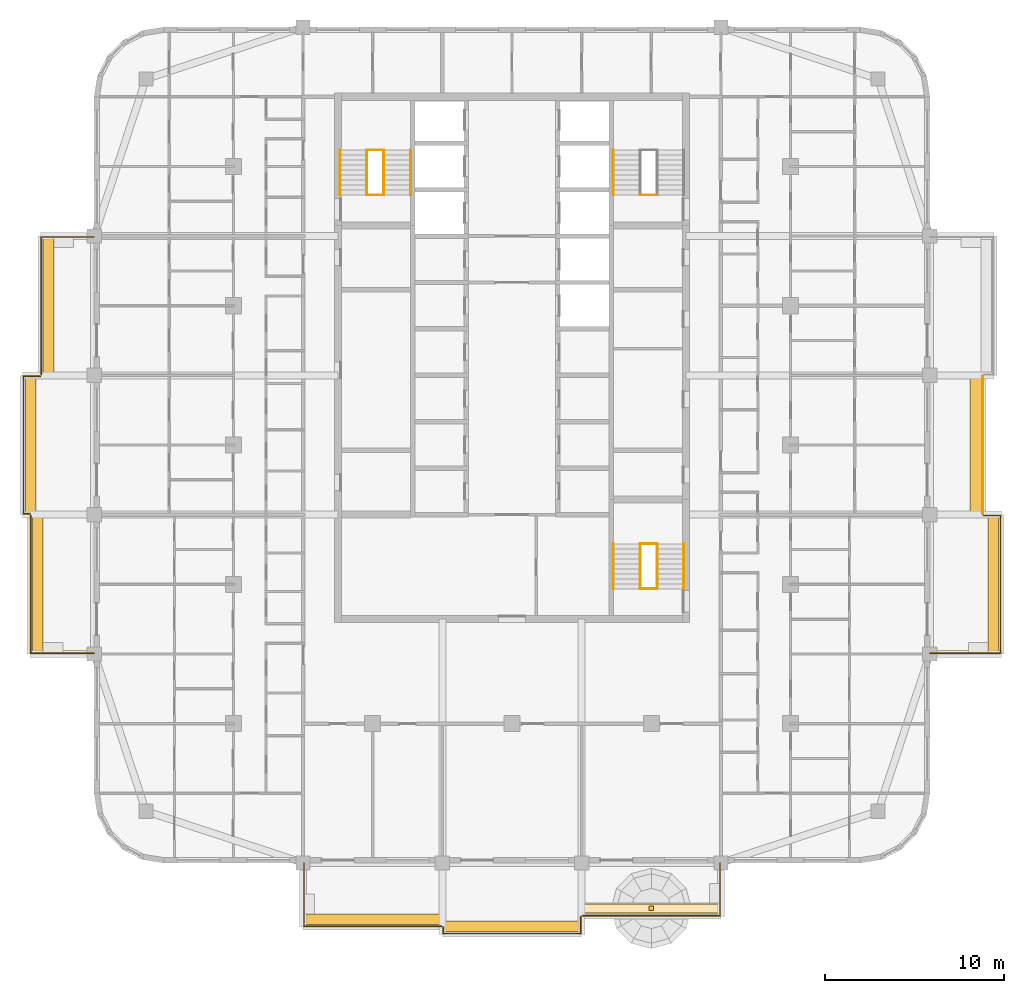
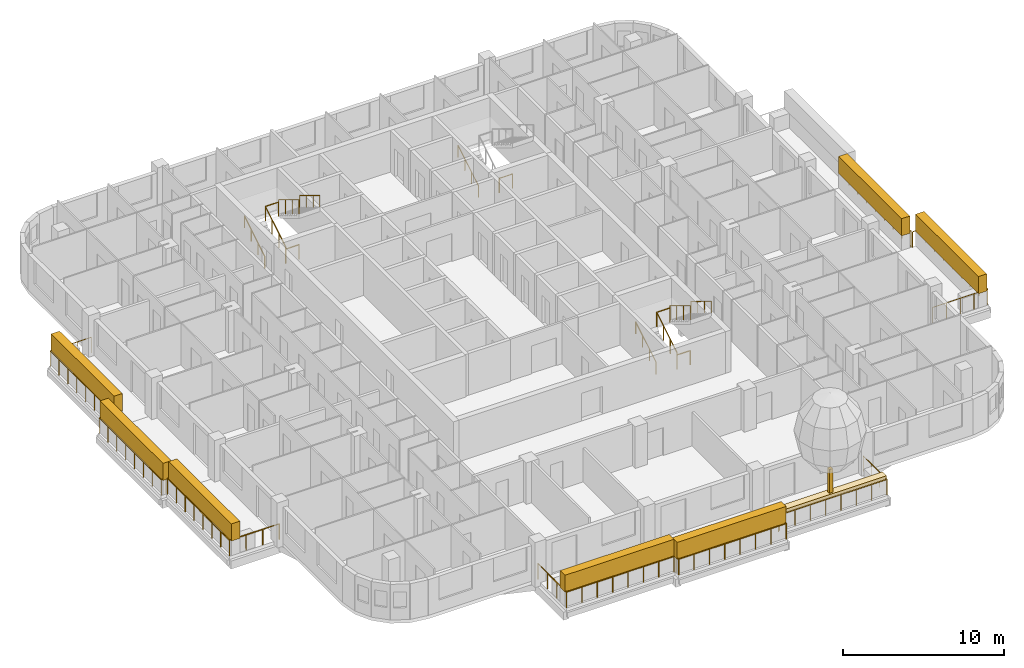
# One storey, part 15 of 17: 22 railings, 9 coverings, 3 elements without a shape of their own.
"""IFC4 building model written with IfcOpenShell, lengths in metres."""

from ifc_helpers import new_model, si_unit, direction, frame, origin, origin_2d, place, context, subcontext, project, spatial, rectangle, circle, extrude, material, layer, layer_set, type_object, element, aggregate, save


model = new_model("IFC4")

# Units and contexts
model_context = context("Model", 3, precision=1e-05, world=origin(), true_north=direction((0.0, 1.0)))
body_context = subcontext(model_context, "Body", "Model", "MODEL_VIEW")
ifc_project = project(units=[si_unit("LENGTHUNIT", "METRE"), si_unit("AREAUNIT", "SQUARE_METRE"), si_unit("VOLUMEUNIT", "CUBIC_METRE"), si_unit("PLANEANGLEUNIT", "RADIAN"), si_unit("MASSUNIT", "GRAM", prefix="KILO")], contexts=[model_context])

# Site, building, storey
site_placement = place(None, origin())
site = spatial("IfcSite", under=ifc_project, at=site_placement, CompositionType="ELEMENT")
building_placement = place(site_placement, origin())
building = spatial("IfcBuilding", under=site, at=building_placement, Name="Ludao Terraces", CompositionType="ELEMENT")
storey_placement = place(building_placement, frame((0.0, 0.0, 210.89990234375)))
storey = spatial("IfcBuildingStorey", under=building, at=storey_placement, Name="L57", CompositionType="ELEMENT", Elevation=210.89990234375)

# Railings
ifc_material_1 = material(Name="Stainless steel 304", Category="steel")
railing_type_1 = type_object("IfcRailingType", Name="ENV Balcony glass guard 1200", PredefinedType="GUARDRAIL", material=ifc_material_1)
railing_1_placement = place(storey_placement, frame((73.35009765625, 41.60009765625, 0.0)))
element("IfcRailing", 1, at=railing_1_placement, inside=storey, type_object=railing_type_1, Name="Balcony guard L57 S1", PredefinedType="GUARDRAIL", context=body_context, shape_type="SweptSolid", body=[
    extrude(circle(Radius=0.02392578125, at=origin_2d()), frame((0.0, 0.0, 1.17578125), z_axis=(0.0, -1.0, 0.0), x_axis=(1.0, 0.0, 0.0)), (0.0, 0.0, 1.0), 3.550048828125),
    extrude(circle(Radius=0.02392578125, at=origin_2d()), frame((0.0, -3.550048828125, 1.17578125), z_axis=(1.0, 0.0, 0.0), x_axis=(0.0, 1.0, 0.0)), (0.0, 0.0, 1.0), 7.699951171875),
    extrude(circle(Radius=0.02099609375, at=origin_2d()), origin(), (0.0, 0.0, 1.0), 1.15185546875),
    extrude(circle(Radius=0.02099609375, at=origin_2d()), frame((0.0, -1.183349609375, 0.0)), (0.0, 0.0, 1.0), 1.15185546875),
    extrude(circle(Radius=0.02099609375, at=origin_2d()), frame((0.0, -2.36669921875, 0.0)), (0.0, 0.0, 1.0), 1.15185546875),
    extrude(circle(Radius=0.02099609375, at=origin_2d()), frame((0.0, -3.550048828125, 0.0)), (0.0, 0.0, 1.0), 1.15185546875),
    extrude(circle(Radius=0.02099609375, at=origin_2d()), frame((1.10009765625, -3.550048828125, 0.0)), (0.0, 0.0, 1.0), 1.15185546875),
    extrude(circle(Radius=0.02099609375, at=origin_2d()), frame((2.199951171875, -3.550048828125, 0.0)), (0.0, 0.0, 1.0), 1.15185546875),
    extrude(circle(Radius=0.02099609375, at=origin_2d()), frame((3.300048828125, -3.550048828125, 0.0)), (0.0, 0.0, 1.0), 1.15185546875),
    extrude(circle(Radius=0.02099609375, at=origin_2d()), frame((4.39990234375, -3.550048828125, 0.0)), (0.0, 0.0, 1.0), 1.15185546875),
    extrude(circle(Radius=0.02099609375, at=origin_2d()), frame((5.5, -3.550048828125, 0.0)), (0.0, 0.0, 1.0), 1.15185546875),
    extrude(circle(Radius=0.02099609375, at=origin_2d()), frame((6.599853515625, -3.550048828125, 0.0)), (0.0, 0.0, 1.0), 1.15185546875),
    extrude(circle(Radius=0.02099609375, at=origin_2d()), frame((7.699951171875, -3.550048828125, 0.0)), (0.0, 0.0, 1.0), 1.15185546875),
])
railing_2_placement = place(storey_placement, frame((81.14990234375, 38.0, 0.0)))
element("IfcRailing", 2, at=railing_2_placement, inside=storey, type_object=railing_type_1, Name="Balcony guard L57 S2", PredefinedType="GUARDRAIL", context=body_context, shape_type="SweptSolid", body=[
    extrude(circle(Radius=0.02392578125, at=origin_2d()), frame((0.0, 0.0, 1.17578125), z_axis=(0.0, -1.0, 0.0), x_axis=(1.0, 0.0, 0.0)), (0.0, 0.0, 1.0), 0.35009765625),
    extrude(circle(Radius=0.02392578125, at=origin_2d()), frame((0.0, -0.35009765625, 1.17578125), z_axis=(1.0, 0.0, 0.0), x_axis=(0.0, 1.0, 0.0)), (0.0, 0.0, 1.0), 7.7001953125),
    extrude(circle(Radius=0.02392578125, at=origin_2d()), frame((7.7001953125, -0.35009765625, 1.17578125), z_axis=(0.0, 1.0, 0.0), x_axis=(-1.0, 0.0, 0.0)), (0.0, 0.0, 1.0), 0.9501953125),
    extrude(circle(Radius=0.02099609375, at=origin_2d()), origin(), (0.0, 0.0, 1.0), 1.15185546875),
    extrude(circle(Radius=0.02099609375, at=origin_2d()), frame((0.0, -0.35009765625, 0.0)), (0.0, 0.0, 1.0), 1.15185546875),
    extrude(circle(Radius=0.02099609375, at=origin_2d()), frame((1.10009765625, -0.35009765625, 0.0)), (0.0, 0.0, 1.0), 1.15185546875),
    extrude(circle(Radius=0.02099609375, at=origin_2d()), frame((2.199951171875, -0.35009765625, 0.0)), (0.0, 0.0, 1.0), 1.15185546875),
    extrude(circle(Radius=0.02099609375, at=origin_2d()), frame((3.300048828125, -0.35009765625, 0.0)), (0.0, 0.0, 1.0), 1.15185546875),
    extrude(circle(Radius=0.02099609375, at=origin_2d()), frame((4.400146484375, -0.35009765625, 0.0)), (0.0, 0.0, 1.0), 1.15185546875),
    extrude(circle(Radius=0.02099609375, at=origin_2d()), frame((5.500244140625, -0.35009765625, 0.0)), (0.0, 0.0, 1.0), 1.15185546875),
    extrude(circle(Radius=0.02099609375, at=origin_2d()), frame((6.60009765625, -0.35009765625, 0.0)), (0.0, 0.0, 1.0), 1.15185546875),
    extrude(circle(Radius=0.02099609375, at=origin_2d()), frame((7.7001953125, -0.35009765625, 0.0)), (0.0, 0.0, 1.0), 1.15185546875),
    extrude(circle(Radius=0.02099609375, at=origin_2d()), frame((7.7001953125, 0.60009765625, 0.0)), (0.0, 0.0, 1.0), 1.15185546875),
])
railing_3_placement = place(storey_placement, frame((88.949951171875, 38.64990234375, 0.0)))
element("IfcRailing", 3, at=railing_3_placement, inside=storey, type_object=railing_type_1, Name="Balcony guard L57 S3", PredefinedType="GUARDRAIL", context=body_context, shape_type="SweptSolid", body=[
    extrude(circle(Radius=0.02392578125, at=origin_2d()), frame((0.0, 0.0, 1.17578125), z_axis=(1.0, 0.0, 0.0), x_axis=(0.0, 1.0, 0.0)), (0.0, 0.0, 1.0), 7.699951171875),
    extrude(circle(Radius=0.02392578125, at=origin_2d()), frame((7.699951171875, 0.0, 1.17578125), z_axis=(0.0, 1.0, 0.0), x_axis=(-1.0, 0.0, 0.0)), (0.0, 0.0, 1.0), 2.9501953125),
    extrude(circle(Radius=0.02099609375, at=origin_2d()), origin(), (0.0, 0.0, 1.0), 1.15185546875),
    extrude(circle(Radius=0.02099609375, at=origin_2d()), frame((1.10009765625, 0.0, 0.0)), (0.0, 0.0, 1.0), 1.15185546875),
    extrude(circle(Radius=0.02099609375, at=origin_2d()), frame((2.199951171875, 0.0, 0.0)), (0.0, 0.0, 1.0), 1.15185546875),
    extrude(circle(Radius=0.02099609375, at=origin_2d()), frame((3.300048828125, 0.0, 0.0)), (0.0, 0.0, 1.0), 1.15185546875),
    extrude(circle(Radius=0.02099609375, at=origin_2d()), frame((4.39990234375, 0.0, 0.0)), (0.0, 0.0, 1.0), 1.15185546875),
    extrude(circle(Radius=0.02099609375, at=origin_2d()), frame((5.5, 0.0, 0.0)), (0.0, 0.0, 1.0), 1.15185546875),
    extrude(circle(Radius=0.02099609375, at=origin_2d()), frame((6.599853515625, 0.0, 0.0)), (0.0, 0.0, 1.0), 1.15185546875),
    extrude(circle(Radius=0.02099609375, at=origin_2d()), frame((7.699951171875, 0.0, 0.0)), (0.0, 0.0, 1.0), 1.15185546875),
    extrude(circle(Radius=0.02099609375, at=origin_2d()), frame((7.699951171875, 0.9833984375, 0.0)), (0.0, 0.0, 1.0), 1.15185546875),
    extrude(circle(Radius=0.02099609375, at=origin_2d()), frame((7.699951171875, 1.966796875, 0.0)), (0.0, 0.0, 1.0), 1.15185546875),
    extrude(circle(Radius=0.02099609375, at=origin_2d()), frame((7.699951171875, 2.9501953125, 0.0)), (0.0, 0.0, 1.0), 1.15185546875),
])
railing_4_placement = place(storey_placement, frame((108.39990234375, 53.35009765625, 0.0)))
element("IfcRailing", 4, at=railing_4_placement, inside=storey, type_object=railing_type_1, Name="Balcony guard L57 E1", PredefinedType="GUARDRAIL", context=body_context, shape_type="SweptSolid", body=[
    extrude(circle(Radius=0.02392578125, at=origin_2d()), frame((0.0, 0.0, 1.17578125), z_axis=(1.0, 0.0, 0.0), x_axis=(0.0, 1.0, 0.0)), (0.0, 0.0, 1.0), 3.9501953125),
    extrude(circle(Radius=0.02392578125, at=origin_2d()), frame((3.9501953125, 0.0, 1.17578125), z_axis=(0.0, 1.0, 0.0), x_axis=(-1.0, 0.0, 0.0)), (0.0, 0.0, 1.0), 7.699951171875),
    extrude(circle(Radius=0.02392578125, at=origin_2d()), frame((3.9501953125, 7.699951171875, 1.17578125), z_axis=(-1.0, 0.0, 0.0), x_axis=(0.0, -1.0, 0.0)), (0.0, 0.0, 1.0), 0.9501953125),
    extrude(circle(Radius=0.02099609375, at=origin_2d()), origin(), (0.0, 0.0, 1.0), 1.15185546875),
    extrude(circle(Radius=0.02099609375, at=origin_2d()), frame((0.987548828125, 0.0, 0.0)), (0.0, 0.0, 1.0), 1.15185546875),
    extrude(circle(Radius=0.02099609375, at=origin_2d()), frame((1.97509765625, 0.0, 0.0)), (0.0, 0.0, 1.0), 1.15185546875),
    extrude(circle(Radius=0.02099609375, at=origin_2d()), frame((2.962646484375, 0.0, 0.0)), (0.0, 0.0, 1.0), 1.15185546875),
    extrude(circle(Radius=0.02099609375, at=origin_2d()), frame((3.9501953125, 0.0, 0.0)), (0.0, 0.0, 1.0), 1.15185546875),
    extrude(circle(Radius=0.02099609375, at=origin_2d()), frame((3.9501953125, 1.10009765625, 0.0)), (0.0, 0.0, 1.0), 1.15185546875),
    extrude(circle(Radius=0.02099609375, at=origin_2d()), frame((3.9501953125, 2.199951171875, 0.0)), (0.0, 0.0, 1.0), 1.15185546875),
    extrude(circle(Radius=0.02099609375, at=origin_2d()), frame((3.9501953125, 3.300048828125, 0.0)), (0.0, 0.0, 1.0), 1.15185546875),
    extrude(circle(Radius=0.02099609375, at=origin_2d()), frame((3.9501953125, 4.39990234375, 0.0)), (0.0, 0.0, 1.0), 1.15185546875),
    extrude(circle(Radius=0.02099609375, at=origin_2d()), frame((3.9501953125, 5.5, 0.0)), (0.0, 0.0, 1.0), 1.15185546875),
    extrude(circle(Radius=0.02099609375, at=origin_2d()), frame((3.9501953125, 6.599853515625, 0.0)), (0.0, 0.0, 1.0), 1.15185546875),
    extrude(circle(Radius=0.02099609375, at=origin_2d()), frame((3.9501953125, 7.699951171875, 0.0)), (0.0, 0.0, 1.0), 1.15185546875),
    extrude(circle(Radius=0.02099609375, at=origin_2d()), frame((3.0, 7.699951171875, 0.0)), (0.0, 0.0, 1.0), 1.15185546875),
])
railing_5_placement = place(storey_placement, frame((111.35009765625, 61.14990234375, 0.0)))
element("IfcRailing", 5, at=railing_5_placement, inside=storey, type_object=railing_type_1, Name="Balcony guard L57 E2", PredefinedType="GUARDRAIL", context=body_context, shape_type="SweptSolid", body=[
    extrude(circle(Radius=0.02392578125, at=origin_2d()), frame((0.0, 0.0, 1.17578125), z_axis=(0.0, 1.0, 0.0), x_axis=(-1.0, 0.0, 0.0)), (0.0, 0.0, 1.0), 7.7001953125),
    extrude(circle(Radius=0.02099609375, at=origin_2d()), origin(), (0.0, 0.0, 1.0), 1.15185546875),
    extrude(circle(Radius=0.02099609375, at=origin_2d()), frame((0.0, 1.10009765625, 0.0)), (0.0, 0.0, 1.0), 1.15185546875),
    extrude(circle(Radius=0.02099609375, at=origin_2d()), frame((0.0, 2.199951171875, 0.0)), (0.0, 0.0, 1.0), 1.15185546875),
    extrude(circle(Radius=0.02099609375, at=origin_2d()), frame((0.0, 3.300048828125, 0.0)), (0.0, 0.0, 1.0), 1.15185546875),
    extrude(circle(Radius=0.02099609375, at=origin_2d()), frame((0.0, 4.400146484375, 0.0)), (0.0, 0.0, 1.0), 1.15185546875),
    extrude(circle(Radius=0.02099609375, at=origin_2d()), frame((0.0, 5.500244140625, 0.0)), (0.0, 0.0, 1.0), 1.15185546875),
    extrude(circle(Radius=0.02099609375, at=origin_2d()), frame((0.0, 6.60009765625, 0.0)), (0.0, 0.0, 1.0), 1.15185546875),
    extrude(circle(Radius=0.02099609375, at=origin_2d()), frame((0.0, 7.7001953125, 0.0)), (0.0, 0.0, 1.0), 1.15185546875),
])
railing_6_placement = place(storey_placement, frame((61.60009765625, 53.35009765625, 0.0)))
element("IfcRailing", 6, at=railing_6_placement, inside=storey, type_object=railing_type_1, Name="Balcony guard L57 W1", PredefinedType="GUARDRAIL", context=body_context, shape_type="SweptSolid", body=[
    extrude(circle(Radius=0.02392578125, at=origin_2d()), frame((0.0, 0.0, 1.17578125), z_axis=(-1.0, 0.0, 0.0), x_axis=(0.0, -1.0, 0.0)), (0.0, 0.0, 1.0), 3.550048828125),
    extrude(circle(Radius=0.02392578125, at=origin_2d()), frame((-3.550048828125, 0.0, 1.17578125), z_axis=(0.0, 1.0, 0.0), x_axis=(-1.0, 0.0, 0.0)), (0.0, 0.0, 1.0), 7.699951171875),
    extrude(circle(Radius=0.02099609375, at=origin_2d()), origin(), (0.0, 0.0, 1.0), 1.15185546875),
    extrude(circle(Radius=0.02099609375, at=origin_2d()), frame((-1.183349609375, 0.0, 0.0)), (0.0, 0.0, 1.0), 1.15185546875),
    extrude(circle(Radius=0.02099609375, at=origin_2d()), frame((-2.36669921875, 0.0, 0.0)), (0.0, 0.0, 1.0), 1.15185546875),
    extrude(circle(Radius=0.02099609375, at=origin_2d()), frame((-3.550048828125, 0.0, 0.0)), (0.0, 0.0, 1.0), 1.15185546875),
    extrude(circle(Radius=0.02099609375, at=origin_2d()), frame((-3.550048828125, 1.10009765625, 0.0)), (0.0, 0.0, 1.0), 1.15185546875),
    extrude(circle(Radius=0.02099609375, at=origin_2d()), frame((-3.550048828125, 2.199951171875, 0.0)), (0.0, 0.0, 1.0), 1.15185546875),
    extrude(circle(Radius=0.02099609375, at=origin_2d()), frame((-3.550048828125, 3.300048828125, 0.0)), (0.0, 0.0, 1.0), 1.15185546875),
    extrude(circle(Radius=0.02099609375, at=origin_2d()), frame((-3.550048828125, 4.39990234375, 0.0)), (0.0, 0.0, 1.0), 1.15185546875),
    extrude(circle(Radius=0.02099609375, at=origin_2d()), frame((-3.550048828125, 5.5, 0.0)), (0.0, 0.0, 1.0), 1.15185546875),
    extrude(circle(Radius=0.02099609375, at=origin_2d()), frame((-3.550048828125, 6.599853515625, 0.0)), (0.0, 0.0, 1.0), 1.15185546875),
    extrude(circle(Radius=0.02099609375, at=origin_2d()), frame((-3.550048828125, 7.699951171875, 0.0)), (0.0, 0.0, 1.0), 1.15185546875),
])
railing_7_placement = place(storey_placement, frame((58.0, 61.14990234375, 0.0)))
element("IfcRailing", 7, at=railing_7_placement, inside=storey, type_object=railing_type_1, Name="Balcony guard L57 W2", PredefinedType="GUARDRAIL", context=body_context, shape_type="SweptSolid", body=[
    extrude(circle(Radius=0.02392578125, at=origin_2d()), frame((0.0, 0.0, 1.17578125), z_axis=(-1.0, 0.0, 0.0), x_axis=(0.0, -1.0, 0.0)), (0.0, 0.0, 1.0), 0.35009765625),
    extrude(circle(Radius=0.02392578125, at=origin_2d()), frame((-0.35009765625, 0.0, 1.17578125), z_axis=(0.0, 1.0, 0.0), x_axis=(-1.0, 0.0, 0.0)), (0.0, 0.0, 1.0), 7.7001953125),
    extrude(circle(Radius=0.02392578125, at=origin_2d()), frame((-0.35009765625, 7.7001953125, 1.17578125), z_axis=(1.0, 0.0, 0.0), x_axis=(0.0, 1.0, 0.0)), (0.0, 0.0, 1.0), 0.9501953125),
    extrude(circle(Radius=0.02099609375, at=origin_2d()), origin(), (0.0, 0.0, 1.0), 1.15185546875),
    extrude(circle(Radius=0.02099609375, at=origin_2d()), frame((-0.35009765625, 0.0, 0.0)), (0.0, 0.0, 1.0), 1.15185546875),
    extrude(circle(Radius=0.02099609375, at=origin_2d()), frame((-0.35009765625, 1.10009765625, 0.0)), (0.0, 0.0, 1.0), 1.15185546875),
    extrude(circle(Radius=0.02099609375, at=origin_2d()), frame((-0.35009765625, 2.199951171875, 0.0)), (0.0, 0.0, 1.0), 1.15185546875),
    extrude(circle(Radius=0.02099609375, at=origin_2d()), frame((-0.35009765625, 3.300048828125, 0.0)), (0.0, 0.0, 1.0), 1.15185546875),
    extrude(circle(Radius=0.02099609375, at=origin_2d()), frame((-0.35009765625, 4.400146484375, 0.0)), (0.0, 0.0, 1.0), 1.15185546875),
    extrude(circle(Radius=0.02099609375, at=origin_2d()), frame((-0.35009765625, 5.500244140625, 0.0)), (0.0, 0.0, 1.0), 1.15185546875),
    extrude(circle(Radius=0.02099609375, at=origin_2d()), frame((-0.35009765625, 6.60009765625, 0.0)), (0.0, 0.0, 1.0), 1.15185546875),
    extrude(circle(Radius=0.02099609375, at=origin_2d()), frame((-0.35009765625, 7.7001953125, 0.0)), (0.0, 0.0, 1.0), 1.15185546875),
    extrude(circle(Radius=0.02099609375, at=origin_2d()), frame((0.60009765625, 7.7001953125, 0.0)), (0.0, 0.0, 1.0), 1.15185546875),
])
railing_8_placement = place(storey_placement, frame((58.64990234375, 68.949951171875, 0.0)))
element("IfcRailing", 8, at=railing_8_placement, inside=storey, type_object=railing_type_1, Name="Balcony guard L57 W3", PredefinedType="GUARDRAIL", context=body_context, shape_type="SweptSolid", body=[
    extrude(circle(Radius=0.02392578125, at=origin_2d()), frame((0.0, 0.0, 1.17578125), z_axis=(0.0, 1.0, 0.0), x_axis=(-1.0, 0.0, 0.0)), (0.0, 0.0, 1.0), 7.699951171875),
    extrude(circle(Radius=0.02392578125, at=origin_2d()), frame((0.0, 7.699951171875, 1.17578125), z_axis=(1.0, 0.0, 0.0), x_axis=(0.0, 1.0, 0.0)), (0.0, 0.0, 1.0), 2.9501953125),
    extrude(circle(Radius=0.02099609375, at=origin_2d()), origin(), (0.0, 0.0, 1.0), 1.15185546875),
    extrude(circle(Radius=0.02099609375, at=origin_2d()), frame((0.0, 1.10009765625, 0.0)), (0.0, 0.0, 1.0), 1.15185546875),
    extrude(circle(Radius=0.02099609375, at=origin_2d()), frame((0.0, 2.199951171875, 0.0)), (0.0, 0.0, 1.0), 1.15185546875),
    extrude(circle(Radius=0.02099609375, at=origin_2d()), frame((0.0, 3.300048828125, 0.0)), (0.0, 0.0, 1.0), 1.15185546875),
    extrude(circle(Radius=0.02099609375, at=origin_2d()), frame((0.0, 4.39990234375, 0.0)), (0.0, 0.0, 1.0), 1.15185546875),
    extrude(circle(Radius=0.02099609375, at=origin_2d()), frame((0.0, 5.5, 0.0)), (0.0, 0.0, 1.0), 1.15185546875),
    extrude(circle(Radius=0.02099609375, at=origin_2d()), frame((0.0, 6.599853515625, 0.0)), (0.0, 0.0, 1.0), 1.15185546875),
    extrude(circle(Radius=0.02099609375, at=origin_2d()), frame((0.0, 7.699951171875, 0.0)), (0.0, 0.0, 1.0), 1.15185546875),
    extrude(circle(Radius=0.02099609375, at=origin_2d()), frame((0.9833984375, 7.699951171875, 0.0)), (0.0, 0.0, 1.0), 1.15185546875),
    extrude(circle(Radius=0.02099609375, at=origin_2d()), frame((1.966796875, 7.699951171875, 0.0)), (0.0, 0.0, 1.0), 1.15185546875),
    extrude(circle(Radius=0.02099609375, at=origin_2d()), frame((2.9501953125, 7.699951171875, 0.0)), (0.0, 0.0, 1.0), 1.15185546875),
])

# Coverings
ifc_material_2 = material(Name="Planting")
ifc_layer_1 = layer(ifc_material_2, 0.5)
ifc_layer_set_1 = layer_set([ifc_layer_1], Name="ENV Planting bed 250")
covering_type_1 = type_object("IfcCoveringType", Name="ENV Planting bed 250", PredefinedType="USERDEFINED", material=ifc_layer_set_1)
covering_1_placement = place(storey_placement, frame((92.800048828125, 39.050048828125, 1.10009765625), z_axis=(0.0, 0.0, 1.0), x_axis=(1.0, 0.0, 0.0)))
element("IfcCovering", 9, at=covering_1_placement, inside=storey, type_object=covering_type_1, Name="Planting bed L57-S3", ObjectType="PLANTING", PredefinedType="USERDEFINED", context=body_context, shape_type="SweptSolid", body=[
    extrude(rectangle(XDim=7.800048828125, YDim=0.5, at=origin_2d()), origin(), (0.0, 0.0, 1.0), 0.25),
])
ifc_layer_2 = layer(ifc_material_2, 0.60009765625)
ifc_layer_set_2 = layer_set([ifc_layer_2], Name="ENV Planting hedge 600x1300")
covering_type_2 = type_object("IfcCoveringType", Name="ENV Planting hedge 600x1300", PredefinedType="USERDEFINED", material=ifc_layer_set_2)
for number, where, z_axis, x_axis, name in (
    (10, (77.199951171875, 38.449951171875, 1.10009765625), (0.0, 0.0, 1.0), (1.0, 0.0, 0.0), "Planting hedge L57-S1"),
    (11, (85.0, 38.050048828125, 1.10009765625), (0.0, 0.0, 1.0), (1.0, 0.0, 0.0), "Planting hedge L57-S2"),
):
    element("IfcCovering", number, at=place(storey_placement, frame(where, z_axis=z_axis, x_axis=x_axis)), inside=storey, type_object=covering_type_2, Name=name, ObjectType="PLANTING", PredefinedType="USERDEFINED", context=body_context, shape_type="SweptSolid", body=[
        extrude(rectangle(XDim=7.800048828125, YDim=0.60009765625, at=origin_2d()), origin(), (0.0, 0.0, 1.0), 1.300048828125),
    ])
for number, where, z_axis, x_axis, name in (
    (12, (111.949951171875, 57.199951171875, 1.10009765625), (0.0, 0.0, 1.0), (1.0, 0.0, 0.0), "Planting hedge L57-E1"),
    (13, (110.949951171875, 65.0, 1.10009765625), (0.0, 0.0, 1.0), (1.0, 0.0, 0.0), "Planting hedge L57-E2"),
    (14, (58.449951171875, 57.199951171875, 1.10009765625), (0.0, 0.0, 1.0), (1.0, 0.0, 0.0), "Planting hedge L57-W1"),
    (15, (58.050048828125, 65.0, 1.10009765625), (0.0, 0.0, 1.0), (1.0, 0.0, 0.0), "Planting hedge L57-W2"),
    (16, (59.050048828125, 72.800048828125, 1.10009765625), (0.0, 0.0, 1.0), (1.0, 0.0, 0.0), "Planting hedge L57-W3"),
):
    element("IfcCovering", number, at=place(storey_placement, frame(where, z_axis=z_axis, x_axis=x_axis)), inside=storey, type_object=covering_type_2, Name=name, ObjectType="PLANTING", PredefinedType="USERDEFINED", context=body_context, shape_type="SweptSolid", body=[
        extrude(rectangle(XDim=0.60009765625, YDim=7.800048828125, at=origin_2d()), origin(), (0.0, 0.0, 1.0), 1.300048828125),
    ])
ifc_material_3 = material(Name="Timber tree trunk", Category="wood")
ifc_layer_3 = layer(ifc_material_3, 0.25)
ifc_layer_set_3 = layer_set([ifc_layer_3], Name="ENV Tree trunk 250x1800")
covering_type_3 = type_object("IfcCoveringType", Name="ENV Tree trunk 250x1800", PredefinedType="USERDEFINED", material=ifc_layer_set_3)
covering_2_placement = place(storey_placement, frame((92.800048828125, 39.050048828125, 1.35009765625), z_axis=(0.0, 0.0, 1.0), x_axis=(1.0, 0.0, 0.0)))
element("IfcCovering", 17, at=covering_2_placement, inside=storey, type_object=covering_type_3, Name="Tree trunk L57 S3", ObjectType="PLANTING", PredefinedType="USERDEFINED", context=body_context, shape_type="SweptSolid", body=[
    extrude(rectangle(XDim=0.25, YDim=0.25, at=origin_2d()), origin(), (0.0, 0.0, 1.0), 1.800048828125),
])

# Stair, railings
ifc_material_4 = material(Name="Concrete C40", Category="concrete")
stair_type = type_object("IfcStairType", Name="INT Stair", PredefinedType="HALF_TURN_STAIR", material=ifc_material_4)
stair_1_placement = place(storey_placement, origin())
stair_1 = element("IfcStair", 18, at=stair_1_placement, inside=storey, type_object=stair_type, Name="EXIT STAIR 1", PredefinedType="HALF_TURN_STAIR")
railing_type_2 = type_object("IfcRailingType", Name="INT Stair guard 1100", PredefinedType="GUARDRAIL", material=ifc_material_1)
railing_9_placement = place(storey_placement, frame((76.875, 79.0, 0.170166015625)))
railing_9 = element("IfcRailing", 19, at=railing_9_placement, type_object=railing_type_2, Name="ST-L57-S1-R1G", PredefinedType="GUARDRAIL", context=body_context, shape_type="SweptSolid", body=[
    extrude(circle(Radius=0.02392578125, at=origin_2d()), frame((0.0, 0.0, 1.076171875), z_axis=(0.0, 0.85478489116, 0.518982456201), x_axis=(-1.0, 0.0, 0.0)), (0.0, 0.0, 1.0), 2.9482421875),
    extrude(circle(Radius=0.02099609375, at=origin_2d()), origin(), (0.0, 0.0, 1.0), 1.052001953125),
    extrude(circle(Radius=0.02099609375, at=origin_2d()), frame((0.0, 0.840087890625, 0.510009765625)), (0.0, 0.0, 1.0), 1.052001953125),
    extrude(circle(Radius=0.02099609375, at=origin_2d()), frame((0.0, 1.679931640625, 1.02001953125)), (0.0, 0.0, 1.0), 1.052001953125),
    extrude(circle(Radius=0.02099609375, at=origin_2d()), frame((0.0, 2.52001953125, 1.530029296875)), (0.0, 0.0, 1.0), 1.052001953125),
])
railing_10_placement = place(storey_placement, frame((77.824951171875, 81.52001953125, 1.8701171875)))
railing_10 = element("IfcRailing", 20, at=railing_10_placement, type_object=railing_type_2, Name="ST-L57-S1-R2G", PredefinedType="GUARDRAIL", context=body_context, shape_type="SweptSolid", body=[
    extrude(circle(Radius=0.02392578125, at=origin_2d()), frame((0.0, 0.0, 1.076171875), z_axis=(0.0, -0.85478489116, 0.518982456201), x_axis=(1.0, 0.0, 0.0)), (0.0, 0.0, 1.0), 2.9482421875),
    extrude(circle(Radius=0.02099609375, at=origin_2d()), origin(), (0.0, 0.0, 1.0), 1.052001953125),
    extrude(circle(Radius=0.02099609375, at=origin_2d()), frame((0.0, -0.840087890625, 0.510009765625)), (0.0, 0.0, 1.0), 1.052001953125),
    extrude(circle(Radius=0.02099609375, at=origin_2d()), frame((0.0, -1.679931640625, 1.02001953125)), (0.0, 0.0, 1.0), 1.052001953125),
    extrude(circle(Radius=0.02099609375, at=origin_2d()), frame((0.0, -2.52001953125, 1.530029296875)), (0.0, 0.0, 1.0), 1.052001953125),
])
railing_11_placement = place(storey_placement, frame((76.875, 81.52001953125, 1.7001953125)))
railing_11 = element("IfcRailing", 21, at=railing_11_placement, type_object=railing_type_2, Name="ST-L57-S1-E1G", PredefinedType="GUARDRAIL", context=body_context, shape_type="SweptSolid", body=[
    extrude(circle(Radius=0.02392578125, at=origin_2d()), frame((0.0, 0.0, 1.076171875), z_axis=(1.0, 0.0, 0.0), x_axis=(0.0, 1.0, 0.0)), (0.0, 0.0, 1.0), 0.949951171875),
    extrude(circle(Radius=0.02099609375, at=origin_2d()), origin(), (0.0, 0.0, 1.0), 1.052001953125),
    extrude(circle(Radius=0.02099609375, at=origin_2d()), frame((0.949951171875, 0.0, 0.0)), (0.0, 0.0, 1.0), 1.052001953125),
])
railing_12_placement = place(storey_placement, frame((76.875, 79.0, 0.0)))
railing_12 = element("IfcRailing", 22, at=railing_12_placement, type_object=railing_type_2, Name="ST-L57-S1-E2G", PredefinedType="GUARDRAIL", context=body_context, shape_type="SweptSolid", body=[
    extrude(circle(Radius=0.02392578125, at=origin_2d()), frame((0.0, 0.0, 1.076171875), z_axis=(1.0, 0.0, 0.0), x_axis=(0.0, 1.0, 0.0)), (0.0, 0.0, 1.0), 0.949951171875),
    extrude(circle(Radius=0.02099609375, at=origin_2d()), origin(), (0.0, 0.0, 1.0), 1.052001953125),
    extrude(circle(Radius=0.02099609375, at=origin_2d()), frame((0.949951171875, 0.0, 0.0)), (0.0, 0.0, 1.0), 1.052001953125),
])

# Stair, railing
stair_2_placement = place(storey_placement, origin())
stair_2 = element("IfcStair", 23, at=stair_2_placement, inside=storey, type_object=stair_type, Name="EXIT STAIR 2", PredefinedType="HALF_TURN_STAIR")
railing_13_placement = place(storey_placement, frame((92.175048828125, 79.0, 0.0)))
railing_13 = element("IfcRailing", 24, at=railing_13_placement, type_object=railing_type_2, Name="ST-L57-S2-E2G", PredefinedType="GUARDRAIL", context=body_context, shape_type="SweptSolid", body=[
    extrude(circle(Radius=0.02392578125, at=origin_2d()), frame((0.0, 0.0, 1.076171875), z_axis=(1.0, 0.0, 0.0), x_axis=(0.0, 1.0, 0.0)), (0.0, 0.0, 1.0), 0.949951171875),
    extrude(circle(Radius=0.02099609375, at=origin_2d()), origin(), (0.0, 0.0, 1.0), 1.052001953125),
    extrude(circle(Radius=0.02099609375, at=origin_2d()), frame((0.949951171875, 0.0, 0.0)), (0.0, 0.0, 1.0), 1.052001953125),
])

# Stair, railings
stair_3_placement = place(storey_placement, origin())
stair_3 = element("IfcStair", 25, at=stair_3_placement, inside=storey, type_object=stair_type, Name="EXIT STAIR 3", PredefinedType="HALF_TURN_STAIR")
railing_14_placement = place(storey_placement, frame((92.175048828125, 56.949951171875, 0.170166015625)))
railing_14 = element("IfcRailing", 26, at=railing_14_placement, type_object=railing_type_2, Name="ST-L57-S3-R1G", PredefinedType="GUARDRAIL", context=body_context, shape_type="SweptSolid", body=[
    extrude(circle(Radius=0.02392578125, at=origin_2d()), frame((0.0, 0.0, 1.076171875), z_axis=(0.0, 0.85478489116, 0.518982456201), x_axis=(-1.0, 0.0, 0.0)), (0.0, 0.0, 1.0), 2.9482421875),
    extrude(circle(Radius=0.02099609375, at=origin_2d()), origin(), (0.0, 0.0, 1.0), 1.052001953125),
    extrude(circle(Radius=0.02099609375, at=origin_2d()), frame((0.0, 0.840087890625, 0.510009765625)), (0.0, 0.0, 1.0), 1.052001953125),
    extrude(circle(Radius=0.02099609375, at=origin_2d()), frame((0.0, 1.679931640625, 1.02001953125)), (0.0, 0.0, 1.0), 1.052001953125),
    extrude(circle(Radius=0.02099609375, at=origin_2d()), frame((0.0, 2.52001953125, 1.530029296875)), (0.0, 0.0, 1.0), 1.052001953125),
])
railing_15_placement = place(storey_placement, frame((93.125, 59.469970703125, 1.8701171875)))
railing_15 = element("IfcRailing", 27, at=railing_15_placement, type_object=railing_type_2, Name="ST-L57-S3-R2G", PredefinedType="GUARDRAIL", context=body_context, shape_type="SweptSolid", body=[
    extrude(circle(Radius=0.02392578125, at=origin_2d()), frame((0.0, 0.0, 1.076171875), z_axis=(0.0, -0.85478489116, 0.518982456201), x_axis=(1.0, 0.0, 0.0)), (0.0, 0.0, 1.0), 2.9482421875),
    extrude(circle(Radius=0.02099609375, at=origin_2d()), origin(), (0.0, 0.0, 1.0), 1.052001953125),
    extrude(circle(Radius=0.02099609375, at=origin_2d()), frame((0.0, -0.840087890625, 0.510009765625)), (0.0, 0.0, 1.0), 1.052001953125),
    extrude(circle(Radius=0.02099609375, at=origin_2d()), frame((0.0, -1.679931640625, 1.02001953125)), (0.0, 0.0, 1.0), 1.052001953125),
    extrude(circle(Radius=0.02099609375, at=origin_2d()), frame((0.0, -2.52001953125, 1.530029296875)), (0.0, 0.0, 1.0), 1.052001953125),
])
railing_16_placement = place(storey_placement, frame((92.175048828125, 59.469970703125, 1.7001953125)))
railing_16 = element("IfcRailing", 28, at=railing_16_placement, type_object=railing_type_2, Name="ST-L57-S3-E1G", PredefinedType="GUARDRAIL", context=body_context, shape_type="SweptSolid", body=[
    extrude(circle(Radius=0.02392578125, at=origin_2d()), frame((0.0, 0.0, 1.076171875), z_axis=(1.0, 0.0, 0.0), x_axis=(0.0, 1.0, 0.0)), (0.0, 0.0, 1.0), 0.949951171875),
    extrude(circle(Radius=0.02099609375, at=origin_2d()), origin(), (0.0, 0.0, 1.0), 1.052001953125),
    extrude(circle(Radius=0.02099609375, at=origin_2d()), frame((0.949951171875, 0.0, 0.0)), (0.0, 0.0, 1.0), 1.052001953125),
])
railing_17_placement = place(storey_placement, frame((92.175048828125, 56.949951171875, 0.0)))
railing_17 = element("IfcRailing", 29, at=railing_17_placement, type_object=railing_type_2, Name="ST-L57-S3-E2G", PredefinedType="GUARDRAIL", context=body_context, shape_type="SweptSolid", body=[
    extrude(circle(Radius=0.02392578125, at=origin_2d()), frame((0.0, 0.0, 1.076171875), z_axis=(1.0, 0.0, 0.0), x_axis=(0.0, 1.0, 0.0)), (0.0, 0.0, 1.0), 0.949951171875),
    extrude(circle(Radius=0.02099609375, at=origin_2d()), origin(), (0.0, 0.0, 1.0), 1.052001953125),
    extrude(circle(Radius=0.02099609375, at=origin_2d()), frame((0.949951171875, 0.0, 0.0)), (0.0, 0.0, 1.0), 1.052001953125),
])

# Railing
railing_type_3 = type_object("IfcRailingType", Name="INT Stair handrail 900", PredefinedType="HANDRAIL", material=ifc_material_1)
railing_18_placement = place(storey_placement, frame((75.375, 79.0, 0.170166015625)))
railing_18 = element("IfcRailing", 30, at=railing_18_placement, type_object=railing_type_3, Name="ST-L57-S1-R1H", PredefinedType="HANDRAIL", context=body_context, shape_type="SweptSolid", body=[
    extrude(circle(Radius=0.02392578125, at=origin_2d()), frame((0.0, 0.0, 0.8759765625), z_axis=(0.0, 0.85478489116, 0.518982456201), x_axis=(-1.0, 0.0, 0.0)), (0.0, 0.0, 1.0), 2.9482421875),
    extrude(circle(Radius=0.02099609375, at=origin_2d()), origin(), (0.0, 0.0, 1.0), 0.851806640625),
    extrude(circle(Radius=0.02099609375, at=origin_2d()), frame((0.0, 0.840087890625, 0.510009765625)), (0.0, 0.0, 1.0), 0.851806640625),
    extrude(circle(Radius=0.02099609375, at=origin_2d()), frame((0.0, 1.679931640625, 1.02001953125)), (0.0, 0.0, 1.0), 0.851806640625),
    extrude(circle(Radius=0.02099609375, at=origin_2d()), frame((0.0, 2.52001953125, 1.530029296875)), (0.0, 0.0, 1.0), 0.851806640625),
])

railing_19_placement = place(storey_placement, frame((79.324951171875, 81.52001953125, 1.8701171875)))
railing_19 = element("IfcRailing", 31, at=railing_19_placement, type_object=railing_type_3, Name="ST-L57-S1-R2H", PredefinedType="HANDRAIL", context=body_context, shape_type="SweptSolid", body=[
    extrude(circle(Radius=0.02392578125, at=origin_2d()), frame((0.0, 0.0, 0.8759765625), z_axis=(0.0, -0.85478489116, 0.518982456201), x_axis=(1.0, 0.0, 0.0)), (0.0, 0.0, 1.0), 2.9482421875),
    extrude(circle(Radius=0.02099609375, at=origin_2d()), origin(), (0.0, 0.0, 1.0), 0.851806640625),
    extrude(circle(Radius=0.02099609375, at=origin_2d()), frame((0.0, -0.840087890625, 0.510009765625)), (0.0, 0.0, 1.0), 0.851806640625),
    extrude(circle(Radius=0.02099609375, at=origin_2d()), frame((0.0, -1.679931640625, 1.02001953125)), (0.0, 0.0, 1.0), 0.851806640625),
    extrude(circle(Radius=0.02099609375, at=origin_2d()), frame((0.0, -2.52001953125, 1.530029296875)), (0.0, 0.0, 1.0), 0.851806640625),
])

aggregate(stair_1, [railing_9, railing_18, railing_10, railing_19, railing_11, railing_12])

railing_20_placement = place(storey_placement, frame((90.675048828125, 79.0, 0.170166015625)))
railing_20 = element("IfcRailing", 32, at=railing_20_placement, type_object=railing_type_3, Name="ST-L57-S2-R1H", PredefinedType="HANDRAIL", context=body_context, shape_type="SweptSolid", body=[
    extrude(circle(Radius=0.02392578125, at=origin_2d()), frame((0.0, 0.0, 0.8759765625), z_axis=(0.0, 0.85478489116, 0.518982456201), x_axis=(-1.0, 0.0, 0.0)), (0.0, 0.0, 1.0), 2.9482421875),
    extrude(circle(Radius=0.02099609375, at=origin_2d()), origin(), (0.0, 0.0, 1.0), 0.851806640625),
    extrude(circle(Radius=0.02099609375, at=origin_2d()), frame((0.0, 0.840087890625, 0.510009765625)), (0.0, 0.0, 1.0), 0.851806640625),
    extrude(circle(Radius=0.02099609375, at=origin_2d()), frame((0.0, 1.679931640625, 1.02001953125)), (0.0, 0.0, 1.0), 0.851806640625),
    extrude(circle(Radius=0.02099609375, at=origin_2d()), frame((0.0, 2.52001953125, 1.530029296875)), (0.0, 0.0, 1.0), 0.851806640625),
])

aggregate(stair_2, [railing_20, railing_13])

railing_21_placement = place(storey_placement, frame((90.675048828125, 56.949951171875, 0.170166015625)))
railing_21 = element("IfcRailing", 33, at=railing_21_placement, type_object=railing_type_3, Name="ST-L57-S3-R1H", PredefinedType="HANDRAIL", context=body_context, shape_type="SweptSolid", body=[
    extrude(circle(Radius=0.02392578125, at=origin_2d()), frame((0.0, 0.0, 0.8759765625), z_axis=(0.0, 0.85478489116, 0.518982456201), x_axis=(-1.0, 0.0, 0.0)), (0.0, 0.0, 1.0), 2.9482421875),
    extrude(circle(Radius=0.02099609375, at=origin_2d()), origin(), (0.0, 0.0, 1.0), 0.851806640625),
    extrude(circle(Radius=0.02099609375, at=origin_2d()), frame((0.0, 0.840087890625, 0.510009765625)), (0.0, 0.0, 1.0), 0.851806640625),
    extrude(circle(Radius=0.02099609375, at=origin_2d()), frame((0.0, 1.679931640625, 1.02001953125)), (0.0, 0.0, 1.0), 0.851806640625),
    extrude(circle(Radius=0.02099609375, at=origin_2d()), frame((0.0, 2.52001953125, 1.530029296875)), (0.0, 0.0, 1.0), 0.851806640625),
])

railing_22_placement = place(storey_placement, frame((94.625, 59.469970703125, 1.8701171875)))
railing_22 = element("IfcRailing", 34, at=railing_22_placement, type_object=railing_type_3, Name="ST-L57-S3-R2H", PredefinedType="HANDRAIL", context=body_context, shape_type="SweptSolid", body=[
    extrude(circle(Radius=0.02392578125, at=origin_2d()), frame((0.0, 0.0, 0.8759765625), z_axis=(0.0, -0.85478489116, 0.518982456201), x_axis=(1.0, 0.0, 0.0)), (0.0, 0.0, 1.0), 2.9482421875),
    extrude(circle(Radius=0.02099609375, at=origin_2d()), origin(), (0.0, 0.0, 1.0), 0.851806640625),
    extrude(circle(Radius=0.02099609375, at=origin_2d()), frame((0.0, -0.840087890625, 0.510009765625)), (0.0, 0.0, 1.0), 0.851806640625),
    extrude(circle(Radius=0.02099609375, at=origin_2d()), frame((0.0, -1.679931640625, 1.02001953125)), (0.0, 0.0, 1.0), 0.851806640625),
    extrude(circle(Radius=0.02099609375, at=origin_2d()), frame((0.0, -2.52001953125, 1.530029296875)), (0.0, 0.0, 1.0), 0.851806640625),
])

aggregate(stair_3, [railing_14, railing_21, railing_15, railing_22, railing_16, railing_17])

save(model, "model.ifc")
